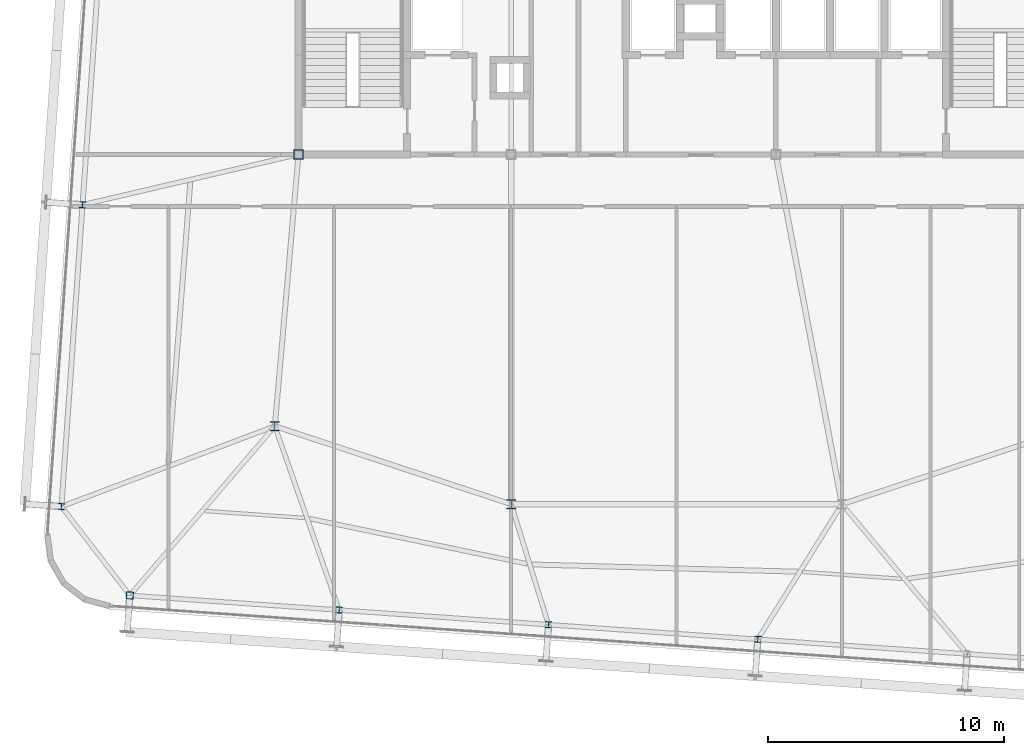
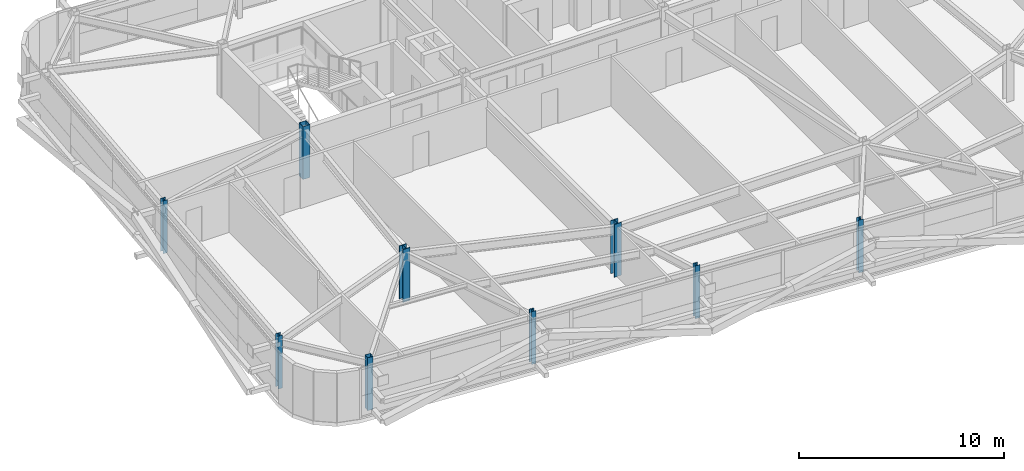
# One storey, part 1 of 39: 9 columns.
"""IFC4 building model written with IfcOpenShell, lengths in metres."""

from ifc_helpers import new_model, si_unit, direction, frame, origin, origin_2d, place, context, subcontext, project, spatial, hollow_rectangle, i_section, extrude, source, transform, mapped, material, material_profile, profile_set, type_object, element, save


model = new_model("IFC4")

# Units and contexts
model_context = context("Model", 3, precision=1e-05, world=origin(), true_north=direction((0.0, 1.0)))
body_context = subcontext(model_context, "Body", "Model", "MODEL_VIEW")
ifc_project = project(units=[si_unit("LENGTHUNIT", "METRE"), si_unit("AREAUNIT", "SQUARE_METRE"), si_unit("VOLUMEUNIT", "CUBIC_METRE"), si_unit("PLANEANGLEUNIT", "RADIAN"), si_unit("MASSUNIT", "GRAM", prefix="KILO")], contexts=[model_context])

# Site, building, storey
site_placement = place(None, origin())
site = spatial("IfcSite", under=ifc_project, at=site_placement, CompositionType="ELEMENT")
building_placement = place(site_placement, origin())
building = spatial("IfcBuilding", under=site, at=building_placement, Name="Taldren Reach Tower", CompositionType="ELEMENT")
storey_placement = place(building_placement, frame((0.0, 0.0, 151.89990234375)))
storey = spatial("IfcBuildingStorey", under=building, at=storey_placement, Name="L46", CompositionType="ELEMENT", Elevation=151.89990234375)

# Columns
ifc_material_1 = material(Name="Steel Gr 350 (350PLUS)", Category="steel")
ifc_material_profile_1 = material_profile(ifc_material_1, i_section(OverallWidth=0.39990234375, OverallDepth=0.39599609375, WebThickness=0.02197265625, FlangeThickness=0.033935546875, at=origin_2d()), Name="400WC270")
ifc_profile_set_1 = profile_set([ifc_material_profile_1], Name="Steel Gr 350 (350PLUS)")
column_type_1 = type_object("IfcColumnType", Name="COL-WC400", PredefinedType="COLUMN", material=ifc_profile_set_1)
shared_shape_1 = source(origin(), body_context, "Body", "SweptSolid", [
    extrude(i_section(OverallWidth=0.39990234375, OverallDepth=0.39599609375, WebThickness=0.02197265625, FlangeThickness=0.033935546875, at=origin_2d()), origin(), (0.0, 0.0, 1.0), 3.150146484375),
])
for number, where, z_axis, x_axis, name in (
    (1, (28.0, 9.199951171875, 0.0), (0.0, 0.0, 1.0), (1.0, 0.0, 0.0), "Mega column MC-PJW L46"),
    (2, (18.0, 12.5, 0.0), (0.0, 0.0, 1.0), (1.0, 0.0, 0.0), "Mega column MC-SW L46"),
):
    element("IfcColumn", number, at=place(storey_placement, frame(where, z_axis=z_axis, x_axis=x_axis)), inside=storey, type_object=column_type_1, Name=name, PredefinedType="COLUMN", context=body_context, shape_type="MappedRepresentation", body=[
        mapped(shared_shape_1, transform((0.0, 0.0, 0.0), scale=1.0)),
    ])
ifc_material_2 = material(Name="Steel Gr 450 (C450L0)", Category="steel")
ifc_material_profile_2 = material_profile(ifc_material_2, hollow_rectangle(XDim=0.39990234375, YDim=0.39990234375, WallThickness=0.01611328125, at=origin_2d()), Name="400x400x16.0SHS")
ifc_profile_set_2 = profile_set([ifc_material_profile_2], Name="Steel Gr 450 (C450L0)")
column_type_2 = type_object("IfcColumnType", Name="COL-SHS400", PredefinedType="COLUMN", material=ifc_profile_set_2)
shared_shape_2 = source(origin(), body_context, "Body", "SweptSolid", [
    extrude(hollow_rectangle(XDim=0.39990234375, YDim=0.39990234375, WallThickness=0.01611328125, at=origin_2d()), origin(), (0.0, 0.0, 1.0), 3.150146484375),
])
column_1_placement = place(storey_placement, frame((19.0, 24.0, 0.0), z_axis=(0.0, 0.0, 1.0), x_axis=(1.0, 0.0, 0.0)))
element("IfcColumn", 3, at=column_1_placement, inside=storey, type_object=column_type_2, Name="Mega column MC-C1 L46", PredefinedType="COLUMN", context=body_context, shape_type="MappedRepresentation", body=[
    mapped(shared_shape_2, transform((0.0, 0.0, 0.0), scale=1.0)),
])
ifc_material_profile_3 = material_profile(ifc_material_2, hollow_rectangle(XDim=0.300048828125, YDim=0.300048828125, WallThickness=0.012451171875, at=origin_2d()), Name="300x300x12.5SHS")
ifc_profile_set_3 = profile_set([ifc_material_profile_3], Name="Steel Gr 450 (C450L0)")
column_type_3 = type_object("IfcColumnType", Name="COL-SHS300", PredefinedType="COLUMN", material=ifc_profile_set_3)
shared_shape_3 = source(origin(), body_context, "Body", "SweptSolid", [
    extrude(hollow_rectangle(XDim=0.300048828125, YDim=0.300048828125, WallThickness=0.012451171875, at=origin_2d()), origin(), (0.0, 0.0, 1.0), 3.150146484375),
])
column_2_placement = place(storey_placement, frame((11.863525390625, 5.33837890625, 0.0), z_axis=(0.0, 0.0, 1.0), x_axis=(0.99756405026, -0.069756473744, 0.0)))
element("IfcColumn", 4, at=column_2_placement, inside=storey, type_object=column_type_3, Name="Block B3 perimeter column S1 L46", PredefinedType="COLUMN", context=body_context, shape_type="MappedRepresentation", body=[
    mapped(shared_shape_3, transform((0.0, 0.0, 0.0), scale=1.0)),
])
ifc_material_profile_4 = material_profile(ifc_material_1, i_section(OverallWidth=0.256103515625, OverallDepth=0.260009765625, WebThickness=0.010498046875, FlangeThickness=0.017333984375, at=origin_2d()), Name="250UC89.5")
ifc_profile_set_4 = profile_set([ifc_material_profile_4], Name="Steel Gr 350 (350PLUS)")
column_type_4 = type_object("IfcColumnType", Name="COL-UC250", PredefinedType="COLUMN", material=ifc_profile_set_4)
shared_shape_4 = source(origin(), body_context, "Body", "SweptSolid", [
    extrude(i_section(OverallWidth=0.256103515625, OverallDepth=0.260009765625, WebThickness=0.010498046875, FlangeThickness=0.017333984375, at=origin_2d()), origin(), (0.0, 0.0, 1.0), 3.150146484375),
])
for number, where, z_axis, x_axis, name in (
    (5, (20.721923828125, 4.718994140625, 0.0), (0.0, 0.0, 1.0), (0.99756405026, -0.069756473744, 0.0), "Block B3 perimeter column S2 L46"),
    (6, (29.580322265625, 4.099609375, 0.0), (0.0, 0.0, 1.0), (0.99756405026, -0.069756473744, 0.0), "Block B3 perimeter column S3 L46"),
    (7, (38.438720703125, 3.480224609375, 0.0), (0.0, 0.0, 1.0), (0.99756405026, -0.069756473744, 0.0), "Block B3 perimeter column S4 L46"),
    (8, (8.96875, 9.099609375, 0.0), (0.0, 0.0, 1.0), (0.99756405026, -0.069756473744, 0.0), "Block B3 perimeter column W1 L46"),
    (9, (9.86181640625, 21.868408203125, 0.0), (0.0, 0.0, 1.0), (0.99756405026, -0.069756473744, 0.0), "Block B3 perimeter column W2 L46"),
):
    element("IfcColumn", number, at=place(storey_placement, frame(where, z_axis=z_axis, x_axis=x_axis)), inside=storey, type_object=column_type_4, Name=name, PredefinedType="COLUMN", context=body_context, shape_type="MappedRepresentation", body=[
        mapped(shared_shape_4, transform((0.0, 0.0, 0.0), scale=1.0)),
    ])

save(model, "model.ifc")
